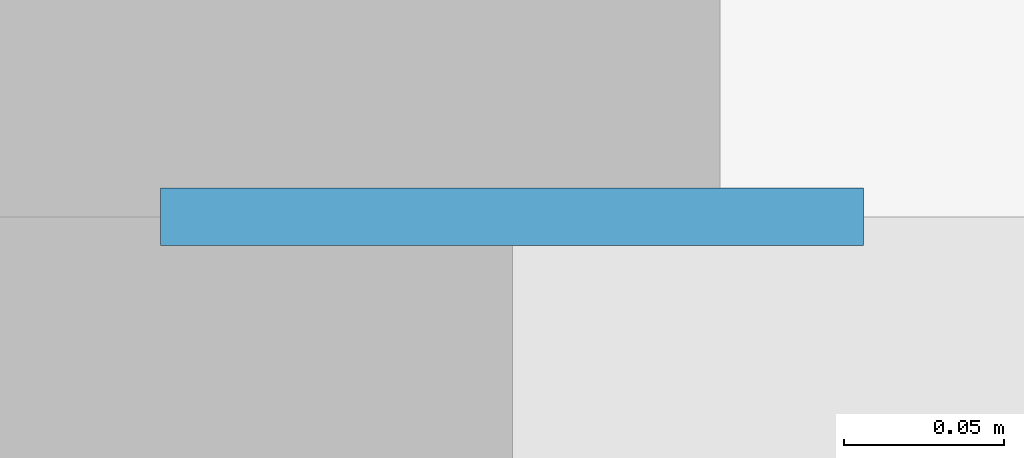
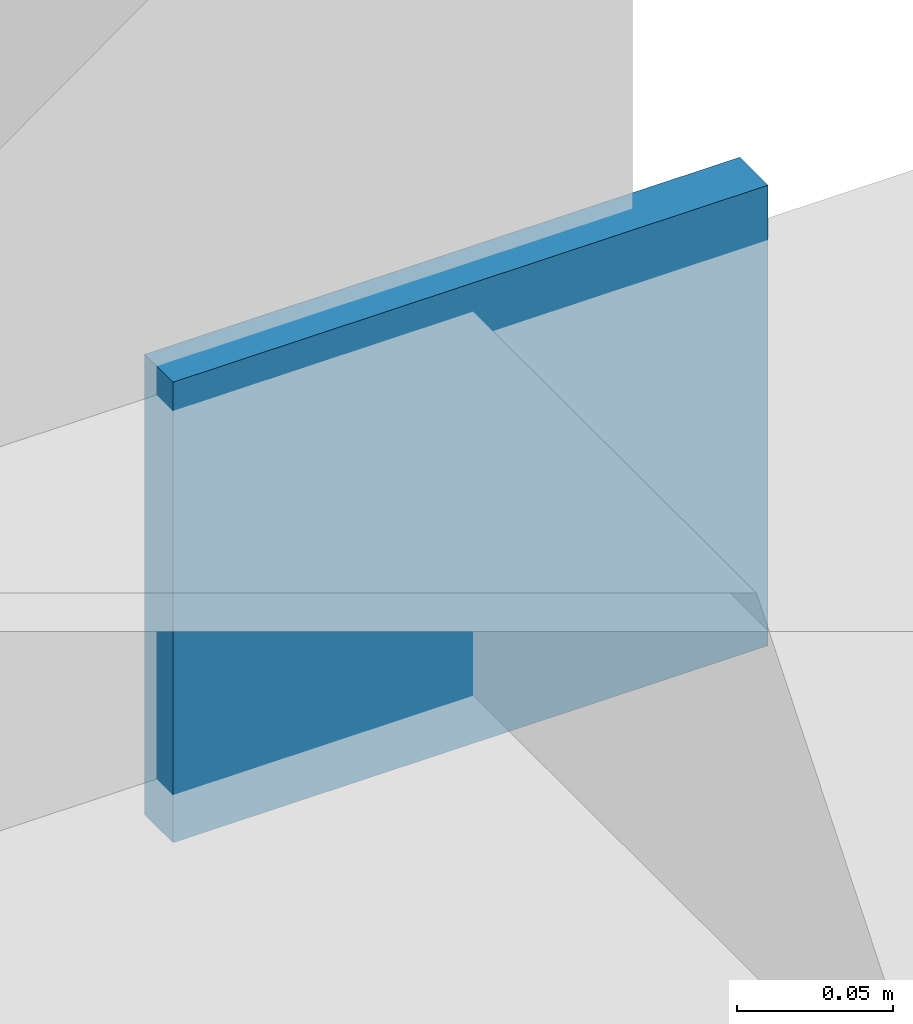
# One storey, part 77 of 93: 1 plate.
"""IFC4 building model written with IfcOpenShell, lengths in metres."""

import ifcopenshell
import ifcopenshell.guid

model = None  # the IFC model being written
_history = None  # IfcOwnerHistory: only IFC2X3 demands one
_inside = {}  # id of a spatial element -> (the spatial element, [elements in it])
_under = {}  # id of a project, library or spatial element -> (it, [spatial elements below it])
_declared = {}  # id of a project -> (the project, [libraries it declares])
_typed = {}  # id of a type object -> (the type object, [elements of that type])
_made_of = {}  # id of a material, layer set ... -> (it, [elements and type objects made of it])


def new_model(schema):
    """Start an empty IFC model of exactly this schema.

    Asked for "IFC4X3", IfcOpenShell would pick the latest addendum, in which some entities
    have other attributes; the version numbers below select the first issue.
    IFC2X3 requires an IfcOwnerHistory on every rooted entity: one is made here for all.
    """
    global model, _history
    if schema == "IFC4X3":
        model = ifcopenshell.file(schema_version=(4, 3, 0, 0))
    else:
        model = ifcopenshell.file(schema=schema)
    _inside.clear()
    _under.clear()
    _declared.clear()
    _typed.clear()
    _made_of.clear()
    _history = None
    if model.schema == "IFC2X3":
        org = make("IfcOrganization", Name="unknown")
        user = make(
            "IfcPersonAndOrganization",
            ThePerson=make("IfcPerson", FamilyName="unknown"),
            TheOrganization=org,
        )
        app = make(
            "IfcApplication",
            ApplicationDeveloper=org,
            Version="unknown",
            ApplicationFullName="unknown",
            ApplicationIdentifier="unknown",
        )
        _history = make(
            "IfcOwnerHistory",
            OwningUser=user,
            OwningApplication=app,
            ChangeAction="ADDED",
            CreationDate=0,
        )
    return model


def make(cls, **values):
    """One entity of the class cls with the attributes given. An attribute that is None is left unset."""
    return model.create_entity(
        cls, **{name: value for name, value in values.items() if value is not None}
    )


def rooted(cls, **values):
    """An entity with a GlobalId (a new one), such as an element, a storey or a relation."""
    return make(cls, GlobalId=ifcopenshell.guid.new(), OwnerHistory=_history, **values)


def si_unit(unit_type, name, prefix=None):
    """IfcSIUnit, for example si_unit("LENGTHUNIT", "METRE", prefix="MILLI")."""
    return make("IfcSIUnit", UnitType=unit_type, Prefix=prefix, Name=name)


def assignment(units):
    """IfcUnitAssignment: the units of a project."""
    return None if units is None else make("IfcUnitAssignment", Units=units)


def point(xyz):
    """IfcCartesianPoint."""
    return None if xyz is None else make("IfcCartesianPoint", Coordinates=xyz)


def direction(xyz):
    """IfcDirection."""
    return None if xyz is None else make("IfcDirection", DirectionRatios=xyz)


def frame(location, z_axis=None, x_axis=None):
    """IfcAxis2Placement3D, a coordinate frame: its origin and axes. An axis left out is left unset."""
    return make(
        "IfcAxis2Placement3D",
        Location=point(location),
        Axis=direction(z_axis),
        RefDirection=direction(x_axis),
    )


def frame_2d(location, x_axis=None):
    """IfcAxis2Placement2D, a coordinate frame in the plane: its origin and x axis."""
    return make(
        "IfcAxis2Placement2D", Location=point(location), RefDirection=direction(x_axis)
    )


def origin():
    """The frame at (0, 0, 0) with its axes left unset."""
    return frame((0.0, 0.0, 0.0))


def origin_2d():
    """The frame at (0, 0) in the plane with its x axis left unset."""
    return frame_2d((0.0, 0.0))


def place(relative_to, where):
    """IfcLocalPlacement: puts the frame where relative to a parent placement (None: the world)."""
    return make(
        "IfcLocalPlacement", PlacementRelTo=relative_to, RelativePlacement=where
    )


def context(
    kind, dimensions, precision=None, world=None, true_north=None, identifier=None
):
    """IfcGeometricRepresentationContext, for example the 3D "Model" context."""
    return make(
        "IfcGeometricRepresentationContext",
        ContextIdentifier=identifier,
        ContextType=kind,
        CoordinateSpaceDimension=dimensions,
        Precision=precision,
        WorldCoordinateSystem=world,
        TrueNorth=true_north,
    )


def subcontext(parent, identifier, kind, view, scale=None):
    """IfcGeometricRepresentationSubContext, for example "Body" below "Model"."""
    return make(
        "IfcGeometricRepresentationSubContext",
        ContextIdentifier=identifier,
        ContextType=kind,
        ParentContext=parent,
        TargetScale=scale,
        TargetView=view,
    )


def project(units=None, contexts=None):
    """IfcProject with its units and contexts."""
    return rooted(
        "IfcProject",
        Name="project",
        RepresentationContexts=contexts,
        UnitsInContext=assignment(units),
    )


def spatial(cls, under=None, at=None, **own):
    """A site, building, storey or space (cls), placed at a placement, below another one or the project."""
    s = rooted(cls, ObjectPlacement=at, **own)
    if under is not None:
        _under.setdefault(under.id(), (under, []))[1].append(s)
    return s


def profile(cls, at=None, kind="AREA", **sizes):
    """A parametric profile (cls). Its sizes go by their IFC names, for example OverallWidth=200.0."""
    return make(cls, ProfileType=kind, Position=at, **sizes)


def rectangle(**sizes):
    """IfcRectangleProfileDef."""
    return profile("IfcRectangleProfileDef", **sizes)


def extrude(swept, where, along, depth):
    """IfcExtrudedAreaSolid: the profile swept, set in the frame where, extruded along a direction by depth."""
    return make(
        "IfcExtrudedAreaSolid",
        SweptArea=swept,
        Position=where,
        ExtrudedDirection=direction(along),
        Depth=depth,
    )


def shape(context_of_items, identifier, shape_type, items):
    """IfcShapeRepresentation: the items that make up one representation, for example the "Body"."""
    return make(
        "IfcShapeRepresentation",
        ContextOfItems=context_of_items,
        RepresentationIdentifier=identifier,
        RepresentationType=shape_type,
        Items=items,
    )


def material(Name=None, Category=None):
    """IfcMaterial."""
    return make("IfcMaterial", Name=Name, Category=Category)


def layer(
    of_material, thickness, ventilated=None, Name=None, Category=None, Priority=None
):
    """IfcMaterialLayer: one layer of a wall or slab, of a material (None: an air gap)."""
    return make(
        "IfcMaterialLayer",
        Material=of_material,
        LayerThickness=thickness,
        IsVentilated=ventilated,
        Name=Name,
        Category=Category,
        Priority=Priority,
    )


def layer_set(layers, Name=None):
    """IfcMaterialLayerSet."""
    return make("IfcMaterialLayerSet", MaterialLayers=layers, LayerSetName=Name)


def made_of(thing, what):
    """Note that an element or type object is made of a material, layer set ...; save() writes the relation."""
    if what is not None:
        _made_of.setdefault(what.id(), (what, []))[1].append(thing)
    return thing


def type_object(cls, material=None, **own):
    """A type object (cls), such as IfcWallType, which elements share."""
    return made_of(rooted(cls, **own), material)


def element(
    cls,
    number,
    at=None,
    inside=None,
    cuts=None,
    type_object=None,
    material=None,
    context=None,
    identifier="Body",
    shape_type=None,
    held_by="IfcProductDefinitionShape",
    body=None,
    shapes=None,
    **own,
):
    """One element of the class cls, such as IfcWall. Its Tag is "e" and its number.

    at: its placement. inside: the storey or other place that contains it. cuts: it is an
    opening in that element (IfcRelVoidsElement). A single representation is given by context,
    identifier, shape_type and body (its items); several are given by shapes. held_by: the class
    of the entity that holds the representations. save() writes the other relations.
    """
    e = rooted(cls, Tag="e%d" % number, ObjectPlacement=at, **own)
    if body is not None:
        shapes = [shape(context, identifier, shape_type, body)]
    if shapes is not None:
        e.Representation = make(held_by, Representations=shapes)
    if inside is not None:
        _inside.setdefault(inside.id(), (inside, []))[1].append(e)
    if cuts is not None:
        rooted(
            "IfcRelVoidsElement", RelatingBuildingElement=cuts, RelatedOpeningElement=e
        )
    if type_object is not None:
        _typed.setdefault(type_object.id(), (type_object, []))[1].append(e)
    return made_of(e, material)


def aggregate(whole, parts):
    """IfcRelAggregates: a whole, such as a stair, and the parts it consists of."""
    return rooted("IfcRelAggregates", RelatingObject=whole, RelatedObjects=parts)


def save(model, path):
    """Write the relations noted so far, then the file.

    IfcRelAggregates (storeys below a building ...), IfcRelContainedInSpatialStructure (elements
    in a storey), IfcRelDefinesByType, IfcRelAssociatesMaterial and IfcRelDeclares: one each for
    every whole, place, type object, material and project.
    """
    for whole, parts in _under.values():
        aggregate(whole, parts)
    for where, things in _inside.values():
        rooted(
            "IfcRelContainedInSpatialStructure",
            RelatedElements=things,
            RelatingStructure=where,
        )
    for kind, things in _typed.values():
        rooted("IfcRelDefinesByType", RelatedObjects=things, RelatingType=kind)
    for what, things in _made_of.values():
        rooted("IfcRelAssociatesMaterial", RelatedObjects=things, RelatingMaterial=what)
    for by, libraries in _declared.values():
        rooted("IfcRelDeclares", RelatingContext=by, RelatedDefinitions=libraries)
    model.write(path)


model = new_model("IFC4")

# Units and contexts
model_context = context("Model", 3, precision=1e-05, world=origin(), true_north=direction((0.0, 1.0)))
body_context = subcontext(model_context, "Body", "Model", "MODEL_VIEW")
ifc_project = project(units=[si_unit("LENGTHUNIT", "METRE"), si_unit("AREAUNIT", "SQUARE_METRE"), si_unit("VOLUMEUNIT", "CUBIC_METRE"), si_unit("PLANEANGLEUNIT", "RADIAN"), si_unit("MASSUNIT", "GRAM", prefix="KILO")], contexts=[model_context])

# Site, building, storey
site_placement = place(None, origin())
site = spatial("IfcSite", under=ifc_project, at=site_placement, CompositionType="ELEMENT")
building_placement = place(site_placement, origin())
building = spatial("IfcBuilding", under=site, at=building_placement, Name="Marnridge Secondary College", CompositionType="ELEMENT")
storey_placement = place(building_placement, origin())
storey = spatial("IfcBuildingStorey", under=building, at=storey_placement, Name="L00", CompositionType="ELEMENT", Elevation=0.0)

# Plate
ifc_material = material(Name="Structural steel plate Grade 350 (AS/NZS 3678, fy = 350 MPa <=12mm, 340 MPa 12-20mm, 330 MPa 20-50mm)", Category="steel")
ifc_layer = layer(ifc_material, 0.02392578125)
ifc_layer_set = layer_set([ifc_layer], Name="PT-GUS-GSN2")
plate_type = type_object("IfcPlateType", Name="PT-GUS-GSN2", PredefinedType="USERDEFINED", material=ifc_layer_set)
plate_placement = place(storey_placement, frame((171.159912109375, 119.625, 3.93017578125), z_axis=(0.0, 0.0, 1.0), x_axis=(1.0, 0.0, 0.0)))
element("IfcPlate", 1, at=plate_placement, inside=storey, type_object=plate_type, Name="Solar fin end bracket plate SFN-0004-BP1", ObjectType="GUSSET PLATE", PredefinedType="USERDEFINED", context=body_context, shape_type="SweptSolid", body=[
    extrude(rectangle(XDim=0.219970703125, YDim=0.01806640625, at=origin_2d()), origin(), (0.0, 0.0, 1.0), 0.179931640625),
])

save(model, "model.ifc")
